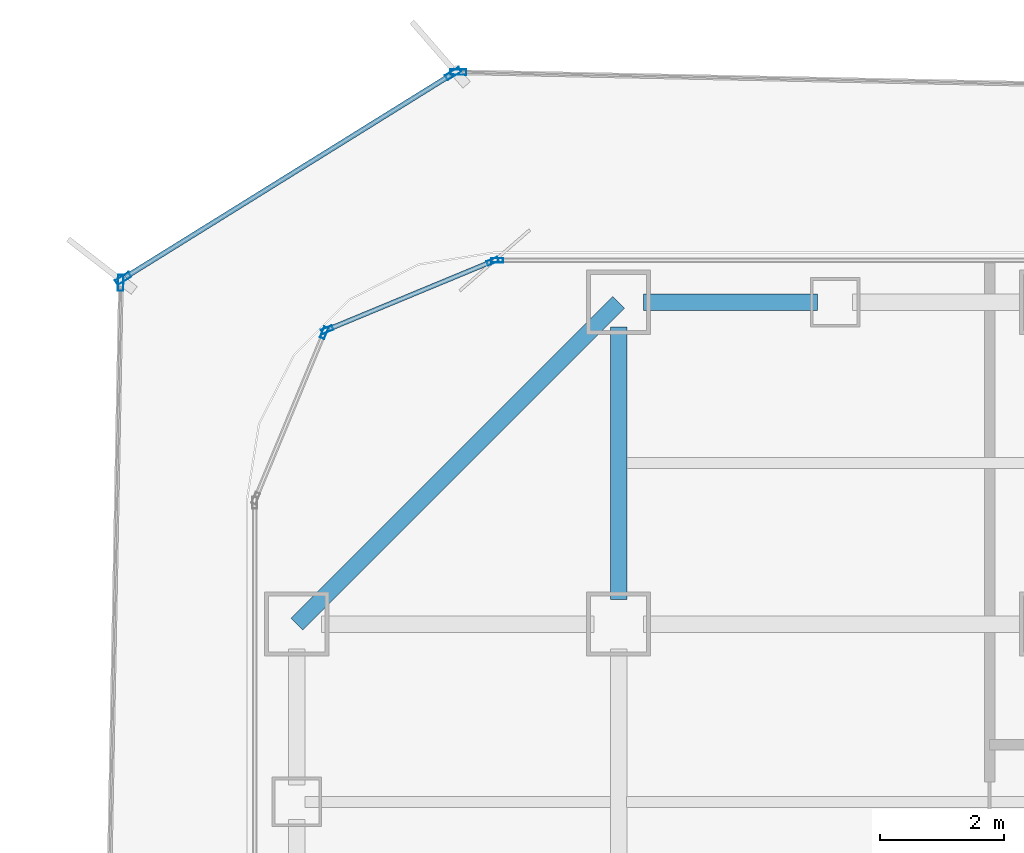
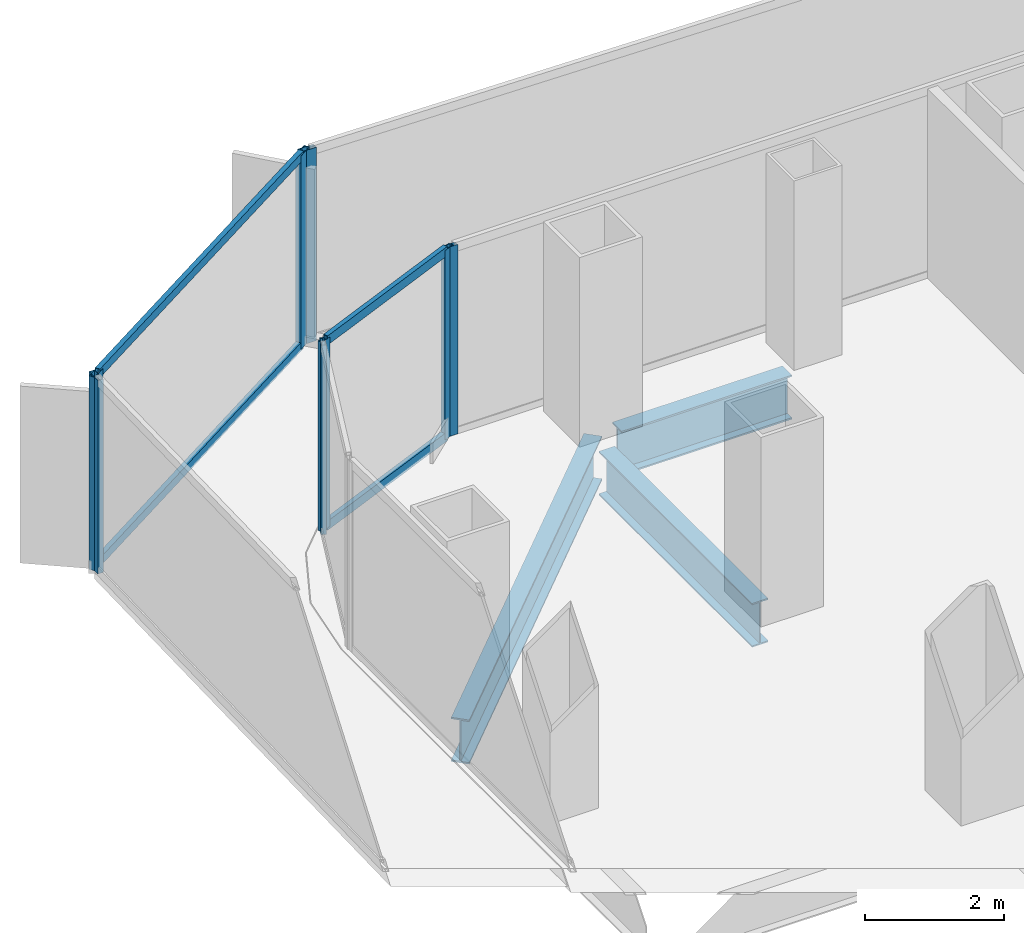
# One storey, part 11 of 21: 12 members, 3 beams, 6 elements without a shape of their own.
"""IFC4 building model written with IfcOpenShell, lengths in metres."""

import ifcopenshell
import ifcopenshell.guid

model = None  # the IFC model being written
_history = None  # IfcOwnerHistory: only IFC2X3 demands one
_inside = {}  # id of a spatial element -> (the spatial element, [elements in it])
_under = {}  # id of a project, library or spatial element -> (it, [spatial elements below it])
_declared = {}  # id of a project -> (the project, [libraries it declares])
_typed = {}  # id of a type object -> (the type object, [elements of that type])
_made_of = {}  # id of a material, layer set ... -> (it, [elements and type objects made of it])


def new_model(schema):
    """Start an empty IFC model of exactly this schema.

    Asked for "IFC4X3", IfcOpenShell would pick the latest addendum, in which some entities
    have other attributes; the version numbers below select the first issue.
    IFC2X3 requires an IfcOwnerHistory on every rooted entity: one is made here for all.
    """
    global model, _history
    if schema == "IFC4X3":
        model = ifcopenshell.file(schema_version=(4, 3, 0, 0))
    else:
        model = ifcopenshell.file(schema=schema)
    _inside.clear()
    _under.clear()
    _declared.clear()
    _typed.clear()
    _made_of.clear()
    _history = None
    if model.schema == "IFC2X3":
        org = make("IfcOrganization", Name="unknown")
        user = make(
            "IfcPersonAndOrganization",
            ThePerson=make("IfcPerson", FamilyName="unknown"),
            TheOrganization=org,
        )
        app = make(
            "IfcApplication",
            ApplicationDeveloper=org,
            Version="unknown",
            ApplicationFullName="unknown",
            ApplicationIdentifier="unknown",
        )
        _history = make(
            "IfcOwnerHistory",
            OwningUser=user,
            OwningApplication=app,
            ChangeAction="ADDED",
            CreationDate=0,
        )
    return model


def make(cls, **values):
    """One entity of the class cls with the attributes given. An attribute that is None is left unset."""
    return model.create_entity(
        cls, **{name: value for name, value in values.items() if value is not None}
    )


def rooted(cls, **values):
    """An entity with a GlobalId (a new one), such as an element, a storey or a relation."""
    return make(cls, GlobalId=ifcopenshell.guid.new(), OwnerHistory=_history, **values)


def si_unit(unit_type, name, prefix=None):
    """IfcSIUnit, for example si_unit("LENGTHUNIT", "METRE", prefix="MILLI")."""
    return make("IfcSIUnit", UnitType=unit_type, Prefix=prefix, Name=name)


def assignment(units):
    """IfcUnitAssignment: the units of a project."""
    return None if units is None else make("IfcUnitAssignment", Units=units)


def point(xyz):
    """IfcCartesianPoint."""
    return None if xyz is None else make("IfcCartesianPoint", Coordinates=xyz)


def direction(xyz):
    """IfcDirection."""
    return None if xyz is None else make("IfcDirection", DirectionRatios=xyz)


def frame(location, z_axis=None, x_axis=None):
    """IfcAxis2Placement3D, a coordinate frame: its origin and axes. An axis left out is left unset."""
    return make(
        "IfcAxis2Placement3D",
        Location=point(location),
        Axis=direction(z_axis),
        RefDirection=direction(x_axis),
    )


def frame_2d(location, x_axis=None):
    """IfcAxis2Placement2D, a coordinate frame in the plane: its origin and x axis."""
    return make(
        "IfcAxis2Placement2D", Location=point(location), RefDirection=direction(x_axis)
    )


def origin():
    """The frame at (0, 0, 0) with its axes left unset."""
    return frame((0.0, 0.0, 0.0))


def origin_2d():
    """The frame at (0, 0) in the plane with its x axis left unset."""
    return frame_2d((0.0, 0.0))


def place(relative_to, where):
    """IfcLocalPlacement: puts the frame where relative to a parent placement (None: the world)."""
    return make(
        "IfcLocalPlacement", PlacementRelTo=relative_to, RelativePlacement=where
    )


def context(
    kind, dimensions, precision=None, world=None, true_north=None, identifier=None
):
    """IfcGeometricRepresentationContext, for example the 3D "Model" context."""
    return make(
        "IfcGeometricRepresentationContext",
        ContextIdentifier=identifier,
        ContextType=kind,
        CoordinateSpaceDimension=dimensions,
        Precision=precision,
        WorldCoordinateSystem=world,
        TrueNorth=true_north,
    )


def subcontext(parent, identifier, kind, view, scale=None):
    """IfcGeometricRepresentationSubContext, for example "Body" below "Model"."""
    return make(
        "IfcGeometricRepresentationSubContext",
        ContextIdentifier=identifier,
        ContextType=kind,
        ParentContext=parent,
        TargetScale=scale,
        TargetView=view,
    )


def project(units=None, contexts=None):
    """IfcProject with its units and contexts."""
    return rooted(
        "IfcProject",
        Name="project",
        RepresentationContexts=contexts,
        UnitsInContext=assignment(units),
    )


def spatial(cls, under=None, at=None, **own):
    """A site, building, storey or space (cls), placed at a placement, below another one or the project."""
    s = rooted(cls, ObjectPlacement=at, **own)
    if under is not None:
        _under.setdefault(under.id(), (under, []))[1].append(s)
    return s


def profile(cls, at=None, kind="AREA", **sizes):
    """A parametric profile (cls). Its sizes go by their IFC names, for example OverallWidth=200.0."""
    return make(cls, ProfileType=kind, Position=at, **sizes)


def hollow_rectangle(**sizes):
    """IfcRectangleHollowProfileDef."""
    return profile("IfcRectangleHollowProfileDef", **sizes)


def i_section(**sizes):
    """IfcIShapeProfileDef."""
    return profile("IfcIShapeProfileDef", **sizes)


def extrude(swept, where, along, depth):
    """IfcExtrudedAreaSolid: the profile swept, set in the frame where, extruded along a direction by depth."""
    return make(
        "IfcExtrudedAreaSolid",
        SweptArea=swept,
        Position=where,
        ExtrudedDirection=direction(along),
        Depth=depth,
    )


def shape(context_of_items, identifier, shape_type, items):
    """IfcShapeRepresentation: the items that make up one representation, for example the "Body"."""
    return make(
        "IfcShapeRepresentation",
        ContextOfItems=context_of_items,
        RepresentationIdentifier=identifier,
        RepresentationType=shape_type,
        Items=items,
    )


def source(mapping_origin, context_of_items, identifier, shape_type, items):
    """IfcRepresentationMap: a shape defined once, which mapped items show again and again."""
    return make(
        "IfcRepresentationMap",
        MappingOrigin=mapping_origin,
        MappedRepresentation=shape(context_of_items, identifier, shape_type, items),
    )


def transform(
    local_origin,
    x_axis=None,
    y_axis=None,
    z_axis=None,
    scale=None,
    scale2=None,
    scale3=None,
    uniform=True,
):
    """IfcCartesianTransformationOperator3D, or its non-uniform kind. x_axis, y_axis, z_axis: its Axis1, 2, 3."""
    if uniform:
        return make(
            "IfcCartesianTransformationOperator3D",
            Axis1=direction(x_axis),
            Axis2=direction(y_axis),
            LocalOrigin=point(local_origin),
            Scale=scale,
            Axis3=direction(z_axis),
        )
    return make(
        "IfcCartesianTransformationOperator3DnonUniform",
        Axis1=direction(x_axis),
        Axis2=direction(y_axis),
        LocalOrigin=point(local_origin),
        Scale=scale,
        Axis3=direction(z_axis),
        Scale2=scale2,
        Scale3=scale3,
    )


def mapped(mapping_source, mapping_target):
    """IfcMappedItem: shows the shape of a source again, moved by a transform."""
    return make(
        "IfcMappedItem", MappingSource=mapping_source, MappingTarget=mapping_target
    )


def material(Name=None, Category=None):
    """IfcMaterial."""
    return make("IfcMaterial", Name=Name, Category=Category)


def layer(
    of_material, thickness, ventilated=None, Name=None, Category=None, Priority=None
):
    """IfcMaterialLayer: one layer of a wall or slab, of a material (None: an air gap)."""
    return make(
        "IfcMaterialLayer",
        Material=of_material,
        LayerThickness=thickness,
        IsVentilated=ventilated,
        Name=Name,
        Category=Category,
        Priority=Priority,
    )


def layer_set(layers, Name=None):
    """IfcMaterialLayerSet."""
    return make("IfcMaterialLayerSet", MaterialLayers=layers, LayerSetName=Name)


def material_profile(
    of_material, cross_section, Name=None, Category=None, Priority=None
):
    """IfcMaterialProfile: a cross section and its material."""
    return make(
        "IfcMaterialProfile",
        Name=Name,
        Material=of_material,
        Profile=cross_section,
        Priority=Priority,
        Category=Category,
    )


def profile_set(profiles, Name=None, composite=None):
    """IfcMaterialProfileSet."""
    return make(
        "IfcMaterialProfileSet",
        Name=Name,
        MaterialProfiles=profiles,
        CompositeProfile=composite,
    )


def made_of(thing, what):
    """Note that an element or type object is made of a material, layer set ...; save() writes the relation."""
    if what is not None:
        _made_of.setdefault(what.id(), (what, []))[1].append(thing)
    return thing


def type_object(cls, material=None, **own):
    """A type object (cls), such as IfcWallType, which elements share."""
    return made_of(rooted(cls, **own), material)


def element(
    cls,
    number,
    at=None,
    inside=None,
    cuts=None,
    type_object=None,
    material=None,
    context=None,
    identifier="Body",
    shape_type=None,
    held_by="IfcProductDefinitionShape",
    body=None,
    shapes=None,
    **own,
):
    """One element of the class cls, such as IfcWall. Its Tag is "e" and its number.

    at: its placement. inside: the storey or other place that contains it. cuts: it is an
    opening in that element (IfcRelVoidsElement). A single representation is given by context,
    identifier, shape_type and body (its items); several are given by shapes. held_by: the class
    of the entity that holds the representations. save() writes the other relations.
    """
    e = rooted(cls, Tag="e%d" % number, ObjectPlacement=at, **own)
    if body is not None:
        shapes = [shape(context, identifier, shape_type, body)]
    if shapes is not None:
        e.Representation = make(held_by, Representations=shapes)
    if inside is not None:
        _inside.setdefault(inside.id(), (inside, []))[1].append(e)
    if cuts is not None:
        rooted(
            "IfcRelVoidsElement", RelatingBuildingElement=cuts, RelatedOpeningElement=e
        )
    if type_object is not None:
        _typed.setdefault(type_object.id(), (type_object, []))[1].append(e)
    return made_of(e, material)


def aggregate(whole, parts):
    """IfcRelAggregates: a whole, such as a stair, and the parts it consists of."""
    return rooted("IfcRelAggregates", RelatingObject=whole, RelatedObjects=parts)


def save(model, path):
    """Write the relations noted so far, then the file.

    IfcRelAggregates (storeys below a building ...), IfcRelContainedInSpatialStructure (elements
    in a storey), IfcRelDefinesByType, IfcRelAssociatesMaterial and IfcRelDeclares: one each for
    every whole, place, type object, material and project.
    """
    for whole, parts in _under.values():
        aggregate(whole, parts)
    for where, things in _inside.values():
        rooted(
            "IfcRelContainedInSpatialStructure",
            RelatedElements=things,
            RelatingStructure=where,
        )
    for kind, things in _typed.values():
        rooted("IfcRelDefinesByType", RelatedObjects=things, RelatingType=kind)
    for what, things in _made_of.values():
        rooted("IfcRelAssociatesMaterial", RelatedObjects=things, RelatingMaterial=what)
    for by, libraries in _declared.values():
        rooted("IfcRelDeclares", RelatingContext=by, RelatedDefinitions=libraries)
    model.write(path)


model = new_model("IFC4")

# Units and contexts
model_context = context("Model", 3, precision=1e-05, world=origin(), true_north=direction((0.0, 1.0)))
body_context = subcontext(model_context, "Body", "Model", "MODEL_VIEW")
ifc_project = project(units=[si_unit("LENGTHUNIT", "METRE"), si_unit("AREAUNIT", "SQUARE_METRE"), si_unit("VOLUMEUNIT", "CUBIC_METRE"), si_unit("PLANEANGLEUNIT", "RADIAN"), si_unit("MASSUNIT", "GRAM", prefix="KILO")], contexts=[model_context])

# Site, building, storey
site_placement = place(None, origin())
site = spatial("IfcSite", under=ifc_project, at=site_placement, CompositionType="ELEMENT")
building_placement = place(site_placement, origin())
building = spatial("IfcBuilding", under=site, at=building_placement, Name="Kolveth Station Tower", CompositionType="ELEMENT")
storey_placement = place(building_placement, frame((0.0, 0.0, 62.10009765625)))
storey = spatial("IfcBuildingStorey", under=building, at=storey_placement, Name="L16", CompositionType="ELEMENT", Elevation=62.10009765625)

# Beams
ifc_material_1 = material(Name="Steel S355", Category="steel")
ifc_material_profile_1 = material_profile(ifc_material_1, i_section(OverallWidth=0.26904296875, OverallDepth=0.77490234375, WebThickness=0.01708984375, FlangeThickness=0.0283203125, at=origin_2d()), Name="W760x220")
ifc_profile_set_1 = profile_set([ifc_material_profile_1], Name="Steel S355")
beam_type_1 = type_object("IfcBeamType", Name="Beam_SP1", PredefinedType="SPANDREL", material=ifc_profile_set_1)
shared_shape_1 = source(origin(), body_context, "Body", "SweptSolid", [
    extrude(i_section(OverallWidth=0.26904296875, OverallDepth=0.77490234375, WebThickness=0.01708984375, FlangeThickness=0.0283203125, at=origin_2d()), origin(), (0.0, 0.0, 1.0), 7.353759765625),
])
beam_1_placement = place(storey_placement, frame((6.0, 39.699951171875, -0.66748046875), z_axis=(-0.707106781187, -0.707106781187, 0.0), x_axis=(0.707106781187, -0.707106781187, 0.0)))
element("IfcBeam", 1, at=beam_1_placement, inside=storey, type_object=beam_type_1, Name="L16 Corner Edge Girder BM-L16-CNR-NW", PredefinedType="SPANDREL", context=body_context, shape_type="MappedRepresentation", body=[
    mapped(shared_shape_1, transform((0.0, 0.0, 0.0), x_axis=(1.0, 0.0, 0.0), y_axis=(0.0, 1.0, 0.0), z_axis=(0.0, 0.0, 1.0), scale=1.0)),
])
shared_shape_2 = source(origin(), body_context, "Body", "SweptSolid", [
    extrude(i_section(OverallWidth=0.26904296875, OverallDepth=0.77490234375, WebThickness=0.01708984375, FlangeThickness=0.0283203125, at=origin_2d()), origin(), (0.0, 0.0, 1.0), 2.820068359375),
])
beam_2_placement = place(storey_placement, frame((6.39990234375, 39.699951171875, -0.66748046875), z_axis=(1.0, 0.0, 0.0), x_axis=(0.0, 1.0, 0.0)))
element("IfcBeam", 2, at=beam_2_placement, inside=storey, type_object=beam_type_1, Name="L16 Perimeter Spandrel BM-L16-PN-1", PredefinedType="SPANDREL", context=body_context, shape_type="MappedRepresentation", body=[
    mapped(shared_shape_2, transform((0.0, 0.0, 0.0), x_axis=(1.0, 0.0, 0.0), y_axis=(0.0, 1.0, 0.0), z_axis=(0.0, 0.0, 1.0), scale=1.0)),
])
ifc_material_profile_2 = material_profile(ifc_material_1, i_section(OverallWidth=0.26708984375, OverallDepth=0.76611328125, WebThickness=0.014892578125, FlangeThickness=0.023681640625, at=origin_2d()), Name="W760x185")
ifc_profile_set_2 = profile_set([ifc_material_profile_2], Name="Steel S355")
beam_type_2 = type_object("IfcBeamType", Name="Beam_B3", PredefinedType="BEAM", material=ifc_profile_set_2)
shared_shape_3 = source(origin(), body_context, "Body", "SweptSolid", [
    extrude(i_section(OverallWidth=0.26708984375, OverallDepth=0.76611328125, WebThickness=0.014892578125, FlangeThickness=0.023681640625, at=origin_2d()), origin(), (0.0, 0.0, 1.0), 4.400146484375),
])
beam_3_placement = place(storey_placement, frame((6.0, 34.89990234375, -0.6630859375), z_axis=(0.0, 1.0, 0.0), x_axis=(-1.0, 0.0, 0.0)))
element("IfcBeam", 3, at=beam_3_placement, inside=storey, type_object=beam_type_2, Name="L16 Primary Girder BM-L16-GX60-7", PredefinedType="BEAM", context=body_context, shape_type="MappedRepresentation", body=[
    mapped(shared_shape_3, transform((0.0, 0.0, 0.0), x_axis=(1.0, 0.0, 0.0), y_axis=(0.0, 1.0, 0.0), z_axis=(0.0, 0.0, 1.0), scale=1.0)),
])

# Curtain wall, members
ifc_material_2 = material(Name="Aluminium 6063-T6 and low-E dark glass", Category="aluminium")
ifc_layer_1 = layer(ifc_material_2, 0.179931640625)
ifc_layer_set_1 = layer_set([ifc_layer_1], Name="Aluminium 6063-T6 and low-E dark glass")
curtain_wall_type_1 = type_object("IfcCurtainWallType", Name="CurtainWall_CW-Z1", PredefinedType="NOTDEFINED", material=ifc_layer_set_1)
curtain_wall_1_placement = place(storey_placement, origin())
curtain_wall_1 = element("IfcCurtainWall", 4, at=curtain_wall_1_placement, inside=storey, type_object=curtain_wall_type_1, Name="L16 Inner Thermal Curtain Wall 7", PredefinedType="NOTDEFINED")
ifc_material_3 = material(Name="Black anodized aluminium 6063-T6", Category="aluminium")
ifc_material_profile_3 = material_profile(ifc_material_3, hollow_rectangle(XDim=0.074951171875, YDim=0.159912109375, WallThickness=0.0048828125, at=origin_2d()), Name="ALU-75x160x5")
ifc_profile_set_3 = profile_set([ifc_material_profile_3], Name="Black anodized aluminium 6063-T6")
member_type_1 = type_object("IfcMemberType", Name="Transom_TR1", PredefinedType="USERDEFINED", material=ifc_profile_set_3)
shared_shape_4 = source(origin(), body_context, "Body", "SweptSolid", [
    extrude(hollow_rectangle(XDim=0.074951171875, YDim=0.159912109375, WallThickness=0.0048828125, at=origin_2d()), origin(), (0.0, 0.0, 1.0), 2.819580078125),
])
member_1_placement = place(storey_placement, frame((3.9306640625, 40.351318359375, 0.037353515625), z_axis=(-0.923869084389, -0.382708655389, 0.0), x_axis=(0.382708655389, -0.923869084389, 0.0)))
member_1 = element("IfcMember", 5, at=member_1_placement, type_object=member_type_1, Name="CW-Z1 transom 1.1", ObjectType="TRANSOM", PredefinedType="USERDEFINED", context=body_context, shape_type="MappedRepresentation", body=[
    mapped(shared_shape_4, transform((0.0, 0.0, 0.0), x_axis=(1.0, 0.0, 0.0), y_axis=(0.0, 1.0, 0.0), z_axis=(0.0, 0.0, 1.0), scale=1.0)),
])
member_2_placement = place(storey_placement, frame((3.9306640625, 40.351318359375, 3.282470703125), z_axis=(-0.923869084389, -0.382708655389, 0.0), x_axis=(0.382708655389, -0.923869084389, 0.0)))
member_2 = element("IfcMember", 6, at=member_2_placement, type_object=member_type_1, Name="CW-Z1 transom 1.2", ObjectType="TRANSOM", PredefinedType="USERDEFINED", context=body_context, shape_type="MappedRepresentation", body=[
    mapped(shared_shape_4, transform((0.0, 0.0, 0.0), x_axis=(1.0, 0.0, 0.0), y_axis=(0.0, 1.0, 0.0), z_axis=(0.0, 0.0, 1.0), scale=1.0)),
])

# Curtain wall, member
ifc_material_4 = material(Name="Black anodized aluminium 6063-T6 and dark solar glass", Category="aluminium")
ifc_layer_2 = layer(ifc_material_4, 0.159912109375)
ifc_layer_set_2 = layer_set([ifc_layer_2], Name="Black anodized aluminium 6063-T6 and dark solar glass")
curtain_wall_type_2 = type_object("IfcCurtainWallType", Name="OUTER SKIN CW-OS", PredefinedType="NOTDEFINED", material=ifc_layer_set_2)
curtain_wall_2_placement = place(storey_placement, origin())
curtain_wall_2 = element("IfcCurtainWall", 7, at=curtain_wall_2_placement, inside=storey, type_object=curtain_wall_type_2, Name="L16 Outer Ventilated Skin Curtain Wall 4", PredefinedType="NOTDEFINED")
ifc_material_profile_4 = material_profile(ifc_material_3, hollow_rectangle(XDim=0.090087890625, YDim=0.260009765625, WallThickness=0.0048828125, at=origin_2d()), Name="ALU-90x260x5")
ifc_profile_set_4 = profile_set([ifc_material_profile_4], Name="Black anodized aluminium 6063-T6")
member_type_2 = type_object("IfcMemberType", Name="FIN MULLION ML-OS", PredefinedType="MULLION", material=ifc_profile_set_4)
shared_shape_5 = source(origin(), body_context, "Body", "SweptSolid", [
    extrude(hollow_rectangle(XDim=0.090087890625, YDim=0.260009765625, WallThickness=0.0048828125, at=origin_2d()), origin(), (0.0, 0.0, 1.0), 3.389892578125),
])
member_3_placement = place(storey_placement, frame((3.40966796875, 43.423095703125, 0.0), z_axis=(0.0, 0.0, 1.0), x_axis=(-0.020301204973, -0.999793909302, 0.0)))
member_3 = element("IfcMember", 8, at=member_3_placement, type_object=member_type_2, Name="CW-OS mullion 2", PredefinedType="MULLION", context=body_context, shape_type="MappedRepresentation", body=[
    mapped(shared_shape_5, transform((0.0, 0.0, 0.0), x_axis=(1.0, 0.0, 0.0), y_axis=(0.0, 1.0, 0.0), z_axis=(0.0, 0.0, 1.0), scale=1.0)),
])
aggregate(curtain_wall_2, [member_3])

# Curtain wall, members
curtain_wall_3_placement = place(storey_placement, origin())
curtain_wall_3 = element("IfcCurtainWall", 9, at=curtain_wall_3_placement, inside=storey, type_object=curtain_wall_type_2, Name="L16 Outer Ventilated Skin Curtain Wall 5", PredefinedType="NOTDEFINED")
member_4_placement = place(storey_placement, frame((3.326416015625, 43.400146484375, 0.0), z_axis=(0.0, 0.0, 1.0), x_axis=(0.527832833146, -0.849348279714, 0.0)))
member_4 = element("IfcMember", 10, at=member_4_placement, type_object=member_type_2, Name="CW-OS mullion 1", PredefinedType="MULLION", context=body_context, shape_type="MappedRepresentation", body=[
    mapped(shared_shape_5, transform((0.0, 0.0, 0.0), x_axis=(1.0, 0.0, 0.0), y_axis=(0.0, 1.0, 0.0), z_axis=(0.0, 0.0, 1.0), scale=1.0)),
])
member_5_placement = place(storey_placement, frame((-2.008056640625, 40.0849609375, 0.0), z_axis=(0.0, 0.0, 1.0), x_axis=(0.527832833146, -0.849348279714, 0.0)))
member_5 = element("IfcMember", 11, at=member_5_placement, type_object=member_type_2, Name="CW-OS mullion 2", PredefinedType="MULLION", context=body_context, shape_type="MappedRepresentation", body=[
    mapped(shared_shape_5, transform((0.0, 0.0, 0.0), x_axis=(1.0, 0.0, 0.0), y_axis=(0.0, 1.0, 0.0), z_axis=(0.0, 0.0, 1.0), scale=1.0)),
])

# Curtain wall, member
curtain_wall_4_placement = place(storey_placement, origin())
curtain_wall_4 = element("IfcCurtainWall", 12, at=curtain_wall_4_placement, inside=storey, type_object=curtain_wall_type_2, Name="L16 Outer Ventilated Skin Curtain Wall 6", PredefinedType="NOTDEFINED")
member_6_placement = place(storey_placement, frame((-2.047119140625, 40.016357421875, 0.0), z_axis=(0.0, 0.0, 1.0), x_axis=(0.999817465529, -0.019105905432, 0.0)))
member_6 = element("IfcMember", 13, at=member_6_placement, type_object=member_type_2, Name="CW-OS mullion 1", PredefinedType="MULLION", context=body_context, shape_type="MappedRepresentation", body=[
    mapped(shared_shape_5, transform((0.0, 0.0, 0.0), x_axis=(1.0, 0.0, 0.0), y_axis=(0.0, 1.0, 0.0), z_axis=(0.0, 0.0, 1.0), scale=1.0)),
])
aggregate(curtain_wall_4, [member_6])

curtain_wall_5_placement = place(storey_placement, origin())
curtain_wall_5 = element("IfcCurtainWall", 14, at=curtain_wall_5_placement, inside=storey, type_object=curtain_wall_type_1, Name="L16 Inner Thermal Curtain Wall 6", PredefinedType="NOTDEFINED")
ifc_material_profile_5 = material_profile(ifc_material_3, hollow_rectangle(XDim=0.074951171875, YDim=0.18994140625, WallThickness=0.0048828125, at=origin_2d()), Name="ALU-75x190x5")
ifc_profile_set_5 = profile_set([ifc_material_profile_5], Name="Black anodized aluminium 6063-T6")
member_type_3 = type_object("IfcMemberType", Name="Mullion_ML1", PredefinedType="MULLION", material=ifc_profile_set_5)
shared_shape_6 = source(origin(), body_context, "Body", "SweptSolid", [
    extrude(hollow_rectangle(XDim=0.074951171875, YDim=0.18994140625, WallThickness=0.0048828125, at=origin_2d()), origin(), (0.0, 0.0, 1.0), 3.31982421875),
])
member_7_placement = place(storey_placement, frame((4.03759765625, 40.3798828125, 0.0), z_axis=(0.0, 0.0, 1.0), x_axis=(0.0, -1.0, 0.0)))
member_7 = element("IfcMember", 15, at=member_7_placement, type_object=member_type_3, Name="CW-Z1 mullion 3", PredefinedType="MULLION", context=body_context, shape_type="MappedRepresentation", body=[
    mapped(shared_shape_6, transform((0.0, 0.0, 0.0), x_axis=(1.0, 0.0, 0.0), y_axis=(0.0, 1.0, 0.0), z_axis=(0.0, 0.0, 1.0), scale=1.0)),
])
aggregate(curtain_wall_5, [member_7])

# Member
member_8_placement = place(storey_placement, frame((3.96533203125, 40.36572265625, 0.0), z_axis=(0.0, 0.0, 1.0), x_axis=(0.382672990201, -0.923883857728, 0.0)))
member_8 = element("IfcMember", 16, at=member_8_placement, type_object=member_type_3, Name="CW-Z1 mullion 1", PredefinedType="MULLION", context=body_context, shape_type="MappedRepresentation", body=[
    mapped(shared_shape_6, transform((0.0, 0.0, 0.0), x_axis=(1.0, 0.0, 0.0), y_axis=(0.0, 1.0, 0.0), z_axis=(0.0, 0.0, 1.0), scale=1.0)),
])

member_9_placement = place(storey_placement, frame((1.291015625, 39.258056640625, 0.0), z_axis=(0.0, 0.0, 1.0), x_axis=(0.382672990201, -0.923883857728, 0.0)))
member_9 = element("IfcMember", 17, at=member_9_placement, type_object=member_type_3, Name="CW-Z1 mullion 2", PredefinedType="MULLION", context=body_context, shape_type="MappedRepresentation", body=[
    mapped(shared_shape_6, transform((0.0, 0.0, 0.0), x_axis=(1.0, 0.0, 0.0), y_axis=(0.0, 1.0, 0.0), z_axis=(0.0, 0.0, 1.0), scale=1.0)),
])

aggregate(curtain_wall_1, [member_8, member_9, member_1, member_2])

# Curtain wall, member
curtain_wall_6_placement = place(storey_placement, origin())
curtain_wall_6 = element("IfcCurtainWall", 18, at=curtain_wall_6_placement, inside=storey, type_object=curtain_wall_type_1, Name="L16 Inner Thermal Curtain Wall 8", PredefinedType="NOTDEFINED")
member_10_placement = place(storey_placement, frame((1.241943359375, 39.208984375, 0.0), z_axis=(0.0, 0.0, 1.0), x_axis=(0.923883857728, -0.382672990201, 0.0)))
member_10 = element("IfcMember", 19, at=member_10_placement, type_object=member_type_3, Name="CW-Z1 mullion 1", PredefinedType="MULLION", context=body_context, shape_type="MappedRepresentation", body=[
    mapped(shared_shape_6, transform((0.0, 0.0, 0.0), x_axis=(1.0, 0.0, 0.0), y_axis=(0.0, 1.0, 0.0), z_axis=(0.0, 0.0, 1.0), scale=1.0)),
])
aggregate(curtain_wall_6, [member_10])

# Member
ifc_material_profile_6 = material_profile(ifc_material_3, hollow_rectangle(XDim=0.080078125, YDim=0.14990234375, WallThickness=0.0048828125, at=origin_2d()), Name="ALU-80x150x5")
ifc_profile_set_6 = profile_set([ifc_material_profile_6], Name="Black anodized aluminium 6063-T6")
member_type_4 = type_object("IfcMemberType", Name="Transom_TR-OS", PredefinedType="USERDEFINED", material=ifc_profile_set_6)
shared_shape_7 = source(origin(), body_context, "Body", "SweptSolid", [
    extrude(hollow_rectangle(XDim=0.080078125, YDim=0.14990234375, WallThickness=0.0048828125, at=origin_2d()), origin(), (0.0, 0.0, 1.0), 6.19091796875),
])
member_11_placement = place(storey_placement, frame((3.288330078125, 43.37646484375, 0.039794921875), z_axis=(-0.84936464407, -0.527806499964, 0.0), x_axis=(0.527806499964, -0.84936464407, 0.0)))
member_11 = element("IfcMember", 20, at=member_11_placement, type_object=member_type_4, Name="CW-OS transom 1.1", ObjectType="TRANSOM", PredefinedType="USERDEFINED", context=body_context, shape_type="MappedRepresentation", body=[
    mapped(shared_shape_7, transform((0.0, 0.0, 0.0), x_axis=(1.0, 0.0, 0.0), y_axis=(0.0, 1.0, 0.0), z_axis=(0.0, 0.0, 1.0), scale=1.0)),
])

member_12_placement = place(storey_placement, frame((3.288330078125, 43.37646484375, 3.349853515625), z_axis=(-0.84936464407, -0.527806499964, 0.0), x_axis=(0.527806499964, -0.84936464407, 0.0)))
member_12 = element("IfcMember", 21, at=member_12_placement, type_object=member_type_4, Name="CW-OS transom 1.2", ObjectType="TRANSOM", PredefinedType="USERDEFINED", context=body_context, shape_type="MappedRepresentation", body=[
    mapped(shared_shape_7, transform((0.0, 0.0, 0.0), x_axis=(1.0, 0.0, 0.0), y_axis=(0.0, 1.0, 0.0), z_axis=(0.0, 0.0, 1.0), scale=1.0)),
])

aggregate(curtain_wall_3, [member_4, member_5, member_11, member_12])

save(model, "model.ifc")
